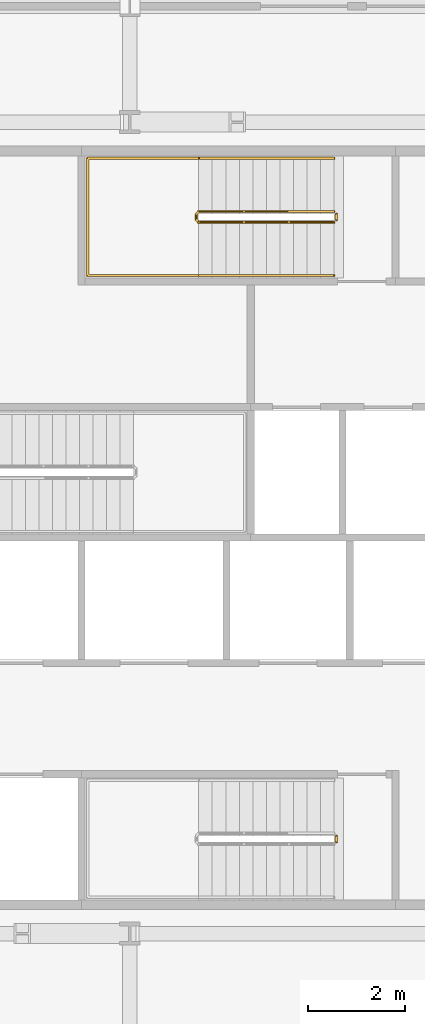
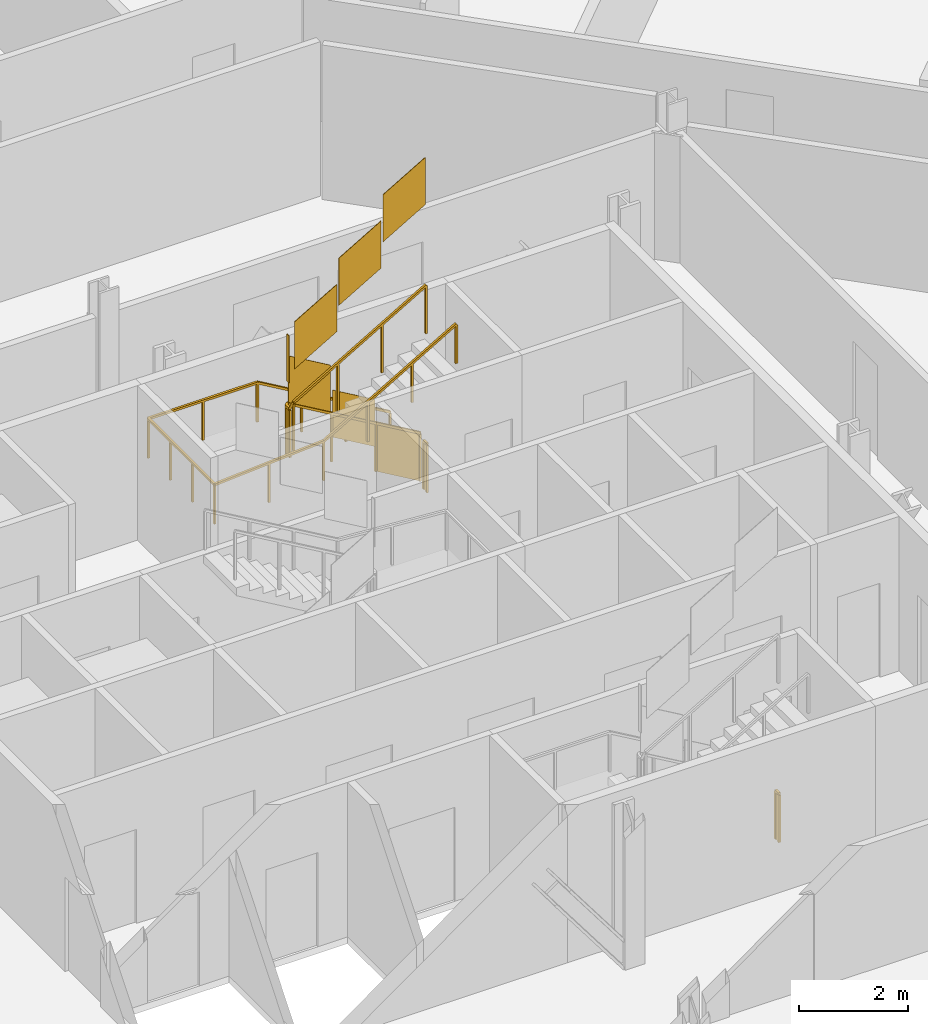
# One storey, part 20 of 24: 4 railings.
"""IFC4 building model written with IfcOpenShell, lengths in metres."""

from ifc_helpers import new_model, si_unit, direction, frame, origin, origin_2d, place, context, subcontext, project, spatial, polyline, rectangle, outline, extrude, material, type_object, element, save


model = new_model("IFC4")

# Units and contexts
model_context = context("Model", 3, precision=1e-05, world=origin(), true_north=direction((0.0, 1.0)))
body_context = subcontext(model_context, "Body", "Model", "MODEL_VIEW")
ifc_project = project(units=[si_unit("LENGTHUNIT", "METRE"), si_unit("AREAUNIT", "SQUARE_METRE"), si_unit("VOLUMEUNIT", "CUBIC_METRE"), si_unit("PLANEANGLEUNIT", "RADIAN"), si_unit("MASSUNIT", "GRAM", prefix="KILO")], contexts=[model_context])

# Site, building, storey
site_placement = place(None, origin())
site = spatial("IfcSite", under=ifc_project, at=site_placement, CompositionType="ELEMENT")
building_placement = place(site_placement, origin())
building = spatial("IfcBuilding", under=site, at=building_placement, Name="Cairn Pilgrim Tower", CompositionType="ELEMENT")
storey_placement = place(building_placement, frame((0.0, 0.0, 125.39990234375)))
storey = spatial("IfcBuildingStorey", under=building, at=storey_placement, Name="L30", CompositionType="ELEMENT", Elevation=125.39990234375)

# Railings
ifc_material = material(Name="Painted steel", Category="steel")
railing_type_1 = type_object("IfcRailingType", Name="STAIR GUARD 1100", PredefinedType="GUARDRAIL", material=ifc_material)
railing_1_placement = place(storey_placement, frame((11.47509765625, -3.97509765625, 0.0)))
element("IfcRailing", 1, at=railing_1_placement, inside=storey, type_object=railing_type_1, Name="L30 ST-A stair guard 2", PredefinedType="GUARDRAIL", context=body_context, shape_type="SweptSolid", body=[
    extrude(rectangle(XDim=0.048095703125, YDim=0.048095703125, at=origin_2d()), frame((0.0, 0.0, 1.076171875), z_axis=(0.0, -1.0, 0.0), x_axis=(1.0, 0.0, 0.0)), (0.0, 0.0, 1.0), 0.125),
    extrude(rectangle(XDim=0.0419921875, YDim=0.0419921875, at=origin_2d()), origin(), (0.0, 0.0, 1.0), 1.052001953125),
    extrude(rectangle(XDim=0.0419921875, YDim=0.0419921875, at=origin_2d()), frame((0.0, -0.125, 0.0)), (0.0, 0.0, 1.0), 1.052001953125),
    extrude(outline(polyline([(0.02099609375, 0.0), (0.10400390625, 0.0), (0.10400390625, 1.052001953125), (0.02099609375, 1.052001953125), (0.02099609375, 0.0)])), frame((0.005859375, 0.0, 0.0), z_axis=(-1.0, 0.0, 0.0), x_axis=(0.0, -1.0, 0.0)), (0.0, 0.0, 1.0), 0.011962890625),
])
railing_2_placement = place(storey_placement, frame((11.425048828125, 8.949951171875, 0.163818359375)))
element("IfcRailing", 2, at=railing_2_placement, inside=storey, type_object=railing_type_1, Name="L30 ST-C stair guard 1", PredefinedType="GUARDRAIL", context=body_context, shape_type="SweptSolid", body=[
    extrude(rectangle(XDim=0.048095703125, YDim=0.048095703125, at=origin_2d()), frame((0.0, 0.0, 1.076171875), z_axis=(-0.863393664356, 0.0, 0.504530851732), x_axis=(0.0, -1.0, 0.0)), (0.0, 0.0, 1.0), 3.2431640625),
    extrude(rectangle(XDim=0.048095703125, YDim=0.048095703125, at=origin_2d()), frame((-2.800048828125, 0.0, 2.71240234375), z_axis=(-0.707106781187, -0.707106781187, 0.0), x_axis=(0.707106781187, -0.707106781187, 0.0)), (0.0, 0.0, 1.0), 0.07080078125),
    extrude(rectangle(XDim=0.048095703125, YDim=0.048095703125, at=origin_2d()), frame((-2.85009765625, -0.050048828125, 2.71240234375), z_axis=(0.0, -1.0, 0.0), x_axis=(1.0, 0.0, 0.0)), (0.0, 0.0, 1.0), 0.125),
    extrude(rectangle(XDim=0.048095703125, YDim=0.048095703125, at=origin_2d()), frame((-2.85009765625, -0.175048828125, 2.71240234375), z_axis=(0.280916556609, -0.279546231943, 0.91811752648), x_axis=(0.705375805398, 0.708833529934, 0.0)), (0.0, 0.0, 1.0), 0.17822265625),
    extrude(rectangle(XDim=0.048095703125, YDim=0.048095703125, at=origin_2d()), frame((-2.800048828125, -0.224853515625, 2.8759765625), z_axis=(0.863360870873, 0.0, 0.504586966384), x_axis=(0.0, 1.0, 0.0)), (0.0, 0.0, 1.0), 3.2431640625),
    extrude(rectangle(XDim=0.0419921875, YDim=0.0419921875, at=origin_2d()), origin(), (0.0, 0.0, 1.0), 1.052001953125),
    extrude(rectangle(XDim=0.0419921875, YDim=0.0419921875, at=origin_2d()), frame((-0.933349609375, 0.0, 0.54541015625)), (0.0, 0.0, 1.0), 1.052001953125),
    extrude(rectangle(XDim=0.0419921875, YDim=0.0419921875, at=origin_2d()), frame((-1.86669921875, 0.0, 1.0908203125)), (0.0, 0.0, 1.0), 1.052001953125),
    extrude(rectangle(XDim=0.0419921875, YDim=0.0419921875, at=origin_2d()), frame((-2.800048828125, 0.0, 1.63623046875)), (0.0, 0.0, 1.0), 1.052001953125),
    extrude(rectangle(XDim=0.0419921875, YDim=0.0419921875, at=origin_2d()), frame((-2.85009765625, -0.050048828125, 1.63623046875)), (0.0, 0.0, 1.0), 1.052001953125),
    extrude(rectangle(XDim=0.0419921875, YDim=0.0419921875, at=origin_2d()), frame((-2.85009765625, -0.175048828125, 1.63623046875)), (0.0, 0.0, 1.0), 1.052001953125),
    extrude(rectangle(XDim=0.0419921875, YDim=0.0419921875, at=origin_2d()), frame((-2.800048828125, -0.224853515625, 1.7998046875)), (0.0, 0.0, 1.0), 1.052001953125),
    extrude(rectangle(XDim=0.0419921875, YDim=0.0419921875, at=origin_2d()), frame((-1.86669921875, -0.224853515625, 2.34521484375)), (0.0, 0.0, 1.0), 1.052001953125),
    extrude(rectangle(XDim=0.0419921875, YDim=0.0419921875, at=origin_2d()), frame((-0.933349609375, -0.224853515625, 2.890869140625)), (0.0, 0.0, 1.0), 1.052001953125),
    extrude(rectangle(XDim=0.0419921875, YDim=0.0419921875, at=origin_2d()), frame((0.0, -0.224853515625, 3.436279296875)), (0.0, 0.0, 1.0), 1.052001953125),
    extrude(outline(polyline([(0.02099609375, 0.01220703125), (0.912353515625, 0.533203125), (0.912353515625, 1.585205078125), (0.02099609375, 1.064208984375), (0.02099609375, 0.01220703125)])), frame((0.0, -0.005859375, 0.0), z_axis=(0.0, 1.0, 0.0), x_axis=(-1.0, 0.0, 0.0)), (0.0, 0.0, 1.0), 0.011962890625),
    extrude(outline(polyline([(0.02099609375, 0.5576171875), (0.912353515625, 1.07861328125), (0.912353515625, 2.130615234375), (0.02099609375, 1.609619140625), (0.02099609375, 0.5576171875)])), frame((-0.933349609375, -0.005859375, 0.54541015625), z_axis=(0.0, 1.0, 0.0), x_axis=(-1.0, 0.0, 0.0)), (0.0, 0.0, 1.0), 0.011962890625),
    extrude(outline(polyline([(0.02099609375, 1.10302734375), (0.912353515625, 1.6240234375), (0.912353515625, 2.676025390625), (0.02099609375, 2.155029296875), (0.02099609375, 1.10302734375)])), frame((-1.86669921875, -0.005859375, 1.0908203125), z_axis=(0.0, 1.0, 0.0), x_axis=(-1.0, 0.0, 0.0)), (0.0, 0.0, 1.0), 0.011962890625),
    extrude(outline(polyline([(0.02099609375, 1.63623046875), (0.10400390625, 1.63623046875), (0.10400390625, 2.688232421875), (0.02099609375, 2.688232421875), (0.02099609375, 1.63623046875)])), frame((-2.84423828125, -0.050048828125, 1.63623046875), z_axis=(-1.0, 0.0, 0.0), x_axis=(0.0, -1.0, 0.0)), (0.0, 0.0, 1.0), 0.011962890625),
    extrude(outline(polyline([(0.02099609375, 1.81201171875), (0.912353515625, 2.3330078125), (0.912353515625, 3.385009765625), (0.02099609375, 2.864013671875), (0.02099609375, 1.81201171875)])), frame((-2.800048828125, -0.21875, 1.7998046875), z_axis=(0.0, -1.0, 0.0), x_axis=(1.0, 0.0, 0.0)), (0.0, 0.0, 1.0), 0.011962890625),
    extrude(outline(polyline([(0.02099609375, 2.357666015625), (0.912353515625, 2.87841796875), (0.912353515625, 3.930419921875), (0.02099609375, 3.40966796875), (0.02099609375, 2.357666015625)])), frame((-1.86669921875, -0.21875, 2.34521484375), z_axis=(0.0, -1.0, 0.0), x_axis=(1.0, 0.0, 0.0)), (0.0, 0.0, 1.0), 0.011962890625),
    extrude(outline(polyline([(0.02099609375, 2.903076171875), (0.912353515625, 3.424072265625), (0.912353515625, 4.47607421875), (0.02099609375, 3.955078125), (0.02099609375, 2.903076171875)])), frame((-0.933349609375, -0.21875, 2.890869140625), z_axis=(0.0, -1.0, 0.0), x_axis=(1.0, 0.0, 0.0)), (0.0, 0.0, 1.0), 0.011962890625),
])
railing_3_placement = place(storey_placement, frame((11.47509765625, 8.89990234375, 0.0)))
element("IfcRailing", 3, at=railing_3_placement, inside=storey, type_object=railing_type_1, Name="L30 ST-C stair guard 2", PredefinedType="GUARDRAIL", context=body_context, shape_type="SweptSolid", body=[
    extrude(rectangle(XDim=0.048095703125, YDim=0.048095703125, at=origin_2d()), frame((0.0, 0.0, 1.076171875), z_axis=(0.0, -1.0, 0.0), x_axis=(1.0, 0.0, 0.0)), (0.0, 0.0, 1.0), 0.125),
    extrude(rectangle(XDim=0.0419921875, YDim=0.0419921875, at=origin_2d()), origin(), (0.0, 0.0, 1.0), 1.052001953125),
    extrude(rectangle(XDim=0.0419921875, YDim=0.0419921875, at=origin_2d()), frame((0.0, -0.125, 0.0)), (0.0, 0.0, 1.0), 1.052001953125),
    extrude(outline(polyline([(0.02099609375, 0.0), (0.10400390625, 0.0), (0.10400390625, 1.052001953125), (0.02099609375, 1.052001953125), (0.02099609375, 0.0)])), frame((0.005859375, 0.0, 0.0), z_axis=(-1.0, 0.0, 0.0), x_axis=(0.0, -1.0, 0.0)), (0.0, 0.0, 1.0), 0.011962890625),
])
railing_type_2 = type_object("IfcRailingType", Name="STAIR HANDRAIL 900", PredefinedType="HANDRAIL", material=ifc_material)
railing_4_placement = place(storey_placement, frame((11.425048828125, 10.050048828125, 0.163818359375)))
element("IfcRailing", 4, at=railing_4_placement, inside=storey, type_object=railing_type_2, Name="L30 ST-C stair handrail 1", PredefinedType="HANDRAIL", context=body_context, shape_type="SweptSolid", body=[
    extrude(rectangle(XDim=0.048095703125, YDim=0.048095703125, at=origin_2d()), frame((0.0, 0.0, 0.8759765625), z_axis=(-0.863393664356, 0.0, 0.504530851732), x_axis=(0.0, -1.0, 0.0)), (0.0, 0.0, 1.0), 3.2431640625),
    extrude(rectangle(XDim=0.048095703125, YDim=0.048095703125, at=origin_2d()), frame((-2.800048828125, 0.0, 2.51220703125), z_axis=(-1.0, 0.0, 0.0), x_axis=(0.0, -1.0, 0.0)), (0.0, 0.0, 1.0), 2.300048828125),
    extrude(rectangle(XDim=0.048095703125, YDim=0.048095703125, at=origin_2d()), frame((-5.10009765625, 0.0, 2.51220703125), z_axis=(0.0, -1.0, 0.0), x_axis=(1.0, 0.0, 0.0)), (0.0, 0.0, 1.0), 2.425048828125),
    extrude(rectangle(XDim=0.048095703125, YDim=0.048095703125, at=origin_2d()), frame((-5.10009765625, -2.425048828125, 2.51220703125), z_axis=(0.997480687736, 0.0, 0.070938548008), x_axis=(0.0, 1.0, 0.0)), (0.0, 0.0, 1.0), 2.305908203125),
    extrude(rectangle(XDim=0.048095703125, YDim=0.048095703125, at=origin_2d()), frame((-2.800048828125, -2.425048828125, 2.67578125), z_axis=(0.863360870873, 0.0, 0.504586966384), x_axis=(0.0, 1.0, 0.0)), (0.0, 0.0, 1.0), 3.2431640625),
    extrude(rectangle(XDim=0.0419921875, YDim=0.0419921875, at=origin_2d()), origin(), (0.0, 0.0, 1.0), 0.851806640625),
    extrude(rectangle(XDim=0.0419921875, YDim=0.0419921875, at=origin_2d()), frame((-0.933349609375, 0.0, 0.54541015625)), (0.0, 0.0, 1.0), 0.851806640625),
    extrude(rectangle(XDim=0.0419921875, YDim=0.0419921875, at=origin_2d()), frame((-1.86669921875, 0.0, 1.0908203125)), (0.0, 0.0, 1.0), 0.851806640625),
    extrude(rectangle(XDim=0.0419921875, YDim=0.0419921875, at=origin_2d()), frame((-2.800048828125, 0.0, 1.63623046875)), (0.0, 0.0, 1.0), 0.851806640625),
    extrude(rectangle(XDim=0.0419921875, YDim=0.0419921875, at=origin_2d()), frame((-3.9501953125, 0.0, 1.63623046875)), (0.0, 0.0, 1.0), 0.851806640625),
    extrude(rectangle(XDim=0.0419921875, YDim=0.0419921875, at=origin_2d()), frame((-5.10009765625, 0.0, 1.63623046875)), (0.0, 0.0, 1.0), 0.851806640625),
    extrude(rectangle(XDim=0.0419921875, YDim=0.0419921875, at=origin_2d()), frame((-5.10009765625, -0.808349609375, 1.63623046875)), (0.0, 0.0, 1.0), 0.851806640625),
    extrude(rectangle(XDim=0.0419921875, YDim=0.0419921875, at=origin_2d()), frame((-5.10009765625, -1.61669921875, 1.63623046875)), (0.0, 0.0, 1.0), 0.851806640625),
    extrude(rectangle(XDim=0.0419921875, YDim=0.0419921875, at=origin_2d()), frame((-5.10009765625, -2.425048828125, 1.63623046875)), (0.0, 0.0, 1.0), 0.851806640625),
    extrude(rectangle(XDim=0.0419921875, YDim=0.0419921875, at=origin_2d()), frame((-3.9501953125, -2.425048828125, 1.718017578125)), (0.0, 0.0, 1.0), 0.851806640625),
    extrude(rectangle(XDim=0.0419921875, YDim=0.0419921875, at=origin_2d()), frame((-2.800048828125, -2.425048828125, 1.7998046875)), (0.0, 0.0, 1.0), 0.851806640625),
    extrude(rectangle(XDim=0.0419921875, YDim=0.0419921875, at=origin_2d()), frame((-1.86669921875, -2.425048828125, 2.34521484375)), (0.0, 0.0, 1.0), 0.851806640625),
    extrude(rectangle(XDim=0.0419921875, YDim=0.0419921875, at=origin_2d()), frame((-0.933349609375, -2.425048828125, 2.890869140625)), (0.0, 0.0, 1.0), 0.851806640625),
    extrude(rectangle(XDim=0.0419921875, YDim=0.0419921875, at=origin_2d()), frame((0.0, -2.425048828125, 3.436279296875)), (0.0, 0.0, 1.0), 0.851806640625),
])

save(model, "model.ifc")
